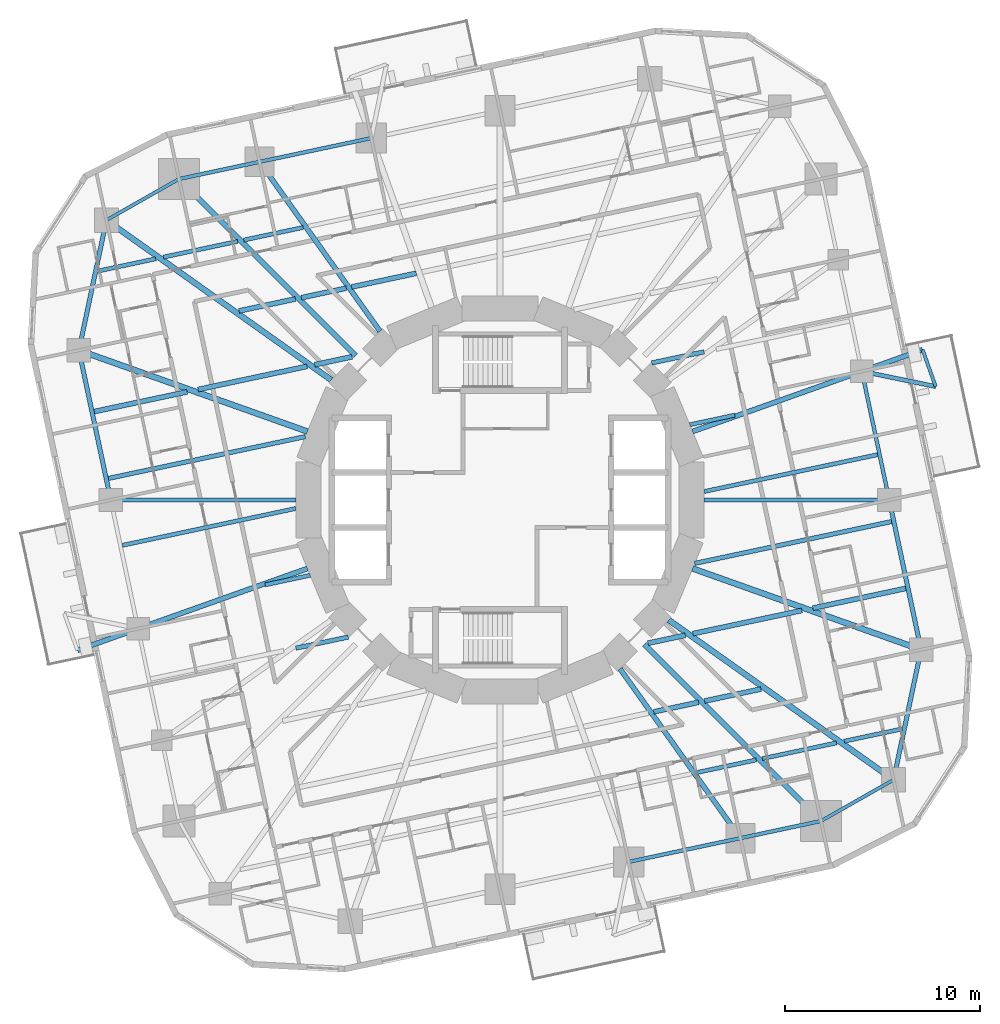
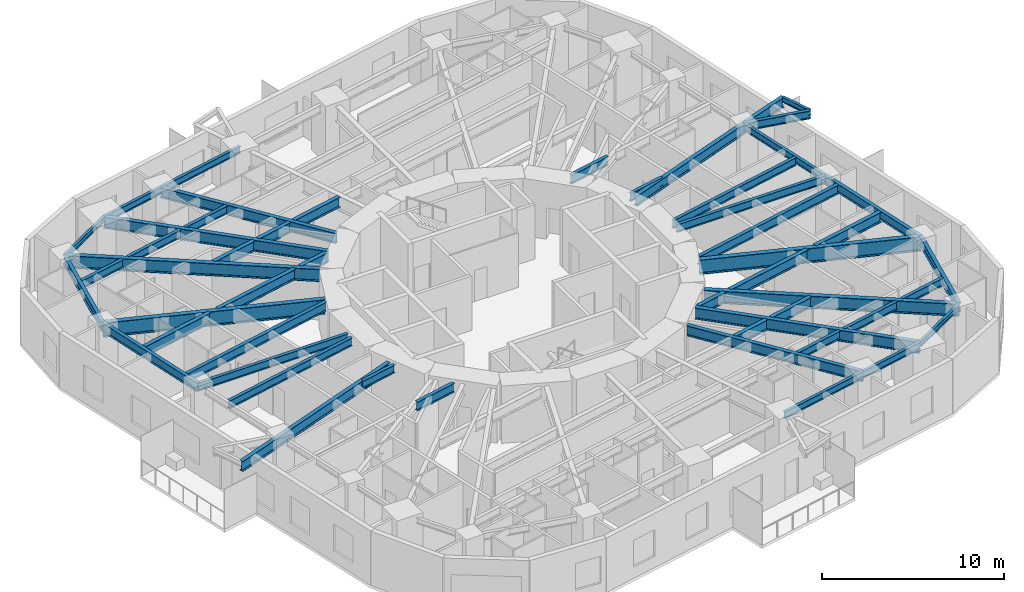
# One storey, part 2 of 14: 50 beams.
"""IFC4 building model written with IfcOpenShell, lengths in metres."""

from ifc_helpers import new_model, si_unit, direction, frame, origin, origin_2d, place, context, subcontext, project, spatial, i_section, extrude, material, material_profile, profile_set, type_object, element, save


model = new_model("IFC4")

# Units and contexts
model_context = context("Model", 3, precision=1e-05, world=origin(), true_north=direction((0.0, 1.0)))
body_context = subcontext(model_context, "Body", "Model", "MODEL_VIEW")
ifc_project = project(units=[si_unit("LENGTHUNIT", "METRE"), si_unit("AREAUNIT", "SQUARE_METRE"), si_unit("VOLUMEUNIT", "CUBIC_METRE"), si_unit("PLANEANGLEUNIT", "RADIAN"), si_unit("MASSUNIT", "GRAM", prefix="KILO")], contexts=[model_context])

# Site, building, storey
site_placement = place(None, origin())
site = spatial("IfcSite", under=ifc_project, at=site_placement, CompositionType="ELEMENT")
building_placement = place(site_placement, origin())
building = spatial("IfcBuilding", under=site, at=building_placement, Name="Nakasero Lantern House", CompositionType="ELEMENT")
storey_placement = place(building_placement, frame((0.0, 0.0, 116.550048828125)))
storey = spatial("IfcBuildingStorey", under=building, at=storey_placement, Name="L28", CompositionType="ELEMENT", Elevation=116.550048828125)

# Beams
ifc_material_1 = material(Name="Steel S355", Category="steel")
ifc_material_profile_1 = material_profile(ifc_material_1, i_section(OverallWidth=0.2138671875, OverallDepth=0.549072265625, WebThickness=0.0146484375, FlangeThickness=0.023681640625, FilletRadius=0.0126953125, at=origin_2d()), Name="UB 533x210x138")
ifc_profile_set_1 = profile_set([ifc_material_profile_1], Name="Steel S355")
beam_type_1 = type_object("IfcBeamType", Name="Balcony splay beam UB 533x210x138", PredefinedType="BEAM", material=ifc_profile_set_1)
beam_1_placement = place(storey_placement, frame((18.534912109375, 6.590087890625, 3.37548828125), z_axis=(0.979420272605, -0.201831438605, 0.0), x_axis=(0.201831438605, 0.979420272605, 0.0)))
element("IfcBeam", 1, at=beam_1_placement, inside=storey, type_object=beam_type_1, Name="Balcony splay beam L29 B3-C04A", PredefinedType="BEAM", context=body_context, shape_type="SweptSolid", body=[
    extrude(i_section(OverallWidth=0.2138671875, OverallDepth=0.549072265625, WebThickness=0.0146484375, FlangeThickness=0.023681640625, FilletRadius=0.0126953125, at=origin_2d()), origin(), (0.0, 0.0, 1.0), 3.858642578125),
])
ifc_material_2 = material(Name="Steel S355", Category="steel")
ifc_material_profile_2 = material_profile(ifc_material_2, i_section(OverallWidth=0.17138671875, OverallDepth=0.35498046875, WebThickness=0.00732421875, FlangeThickness=0.011474609375, FilletRadius=0.01025390625, at=origin_2d()), Name="UB 356x171x51")
ifc_profile_set_2 = profile_set([ifc_material_profile_2], Name="Steel S355")
beam_type_2 = type_object("IfcBeamType", Name="Balcony tie beam UB 356x171x51", PredefinedType="BEAM", material=ifc_profile_set_2)
beam_2_placement = place(storey_placement, frame((22.314208984375, 5.811279296875, 3.472412109375), z_axis=(-0.335060236487, 0.942196708721, 0.0), x_axis=(-0.942196708721, -0.335060236487, 0.0)))
element("IfcBeam", 2, at=beam_2_placement, inside=storey, type_object=beam_type_2, Name="Balcony tie beam L29 B3-C04", PredefinedType="BEAM", context=body_context, shape_type="SweptSolid", body=[
    extrude(i_section(OverallWidth=0.17138671875, OverallDepth=0.35498046875, WebThickness=0.00732421875, FlangeThickness=0.011474609375, FilletRadius=0.01025390625, at=origin_2d()), origin(), (0.0, 0.0, 1.0), 2.000244140625),
])
ifc_material_3 = material(Name="Steel S355", Category="steel")
ifc_material_profile_3 = material_profile(ifc_material_3, i_section(OverallWidth=0.2099609375, OverallDepth=0.53662109375, WebThickness=0.0107421875, FlangeThickness=0.017333984375, FilletRadius=0.0126953125, at=origin_2d()), Name="UB 533x210x101")
ifc_profile_set_3 = profile_set([ifc_material_profile_3], Name="Steel S355")
beam_type_3 = type_object("IfcBeamType", Name="Infill beam UB 533x210x101", PredefinedType="JOIST", material=ifc_profile_set_3)
beam_3_placement = place(storey_placement, frame((10.0830078125, -13.958740234375, 3.381591796875), z_axis=(0.97813788874, 0.207957376908, 0.0), x_axis=(-0.207957376908, 0.97813788874, 0.0)))
element("IfcBeam", 3, at=beam_3_placement, inside=storey, type_object=beam_type_3, Name="Infill beam L29 03.5", PredefinedType="JOIST", context=body_context, shape_type="SweptSolid", body=[
    extrude(i_section(OverallWidth=0.2099609375, OverallDepth=0.53662109375, WebThickness=0.0107421875, FlangeThickness=0.017333984375, FilletRadius=0.0126953125, at=origin_2d()), origin(), (0.0, 0.0, 1.0), 3.108642578125),
])
beam_4_placement = place(storey_placement, frame((13.434814453125, -13.24609375, 3.381591796875), z_axis=(0.978152946383, 0.207886539924, 0.0), x_axis=(-0.207886539924, 0.978152946383, 0.0)))
element("IfcBeam", 4, at=beam_4_placement, inside=storey, type_object=beam_type_3, Name="Infill beam L29 03.6", PredefinedType="JOIST", context=body_context, shape_type="SweptSolid", body=[
    extrude(i_section(OverallWidth=0.2099609375, OverallDepth=0.53662109375, WebThickness=0.0107421875, FlangeThickness=0.017333984375, FilletRadius=0.0126953125, at=origin_2d()), origin(), (0.0, 0.0, 1.0), 3.888427734375),
])
beam_5_placement = place(storey_placement, frame((17.626708984375, -12.355224609375, 3.381591796875), z_axis=(0.978152299812, 0.207889582165, 0.0), x_axis=(-0.207889582165, 0.978152299812, 0.0)))
element("IfcBeam", 5, at=beam_5_placement, inside=storey, type_object=beam_type_3, Name="Infill beam L29 03.7", PredefinedType="JOIST", context=body_context, shape_type="SweptSolid", body=[
    extrude(i_section(OverallWidth=0.2099609375, OverallDepth=0.53662109375, WebThickness=0.0107421875, FlangeThickness=0.017333984375, FilletRadius=0.0126953125, at=origin_2d()), origin(), (0.0, 0.0, 1.0), 3.031005859375),
])
beam_6_placement = place(storey_placement, frame((-12.030029296875, -4.34619140625, 3.381591796875), z_axis=(0.97814938161, 0.207903312278, 0.0), x_axis=(-0.207903312278, 0.97814938161, 0.0)))
element("IfcBeam", 6, at=beam_6_placement, inside=storey, type_object=beam_type_3, Name="Infill beam L29 07.1", PredefinedType="JOIST", context=body_context, shape_type="SweptSolid", body=[
    extrude(i_section(OverallWidth=0.2099609375, OverallDepth=0.53662109375, WebThickness=0.0107421875, FlangeThickness=0.017333984375, FilletRadius=0.0126953125, at=origin_2d()), origin(), (0.0, 0.0, 1.0), 2.359130859375),
])
for number, where, z_axis, x_axis, name in (
    (7, (10.457763671875, 0.433837890625, 3.381591796875), (0.978146760676, 0.207915642939, 0.0), (-0.207915642939, 0.978146760676, 0.0), "Infill beam L29 07.2"),
    (8, (-19.34423828125, -2.32275390625, 3.381591796875), (0.978146760676, 0.207915642939, 0.0), (-0.207915642939, 0.978146760676, 0.0), "Infill beam L29 08.1"),
):
    element("IfcBeam", number, at=place(storey_placement, frame(where, z_axis=z_axis, x_axis=x_axis)), inside=storey, type_object=beam_type_3, Name=name, PredefinedType="JOIST", context=body_context, shape_type="SweptSolid", body=[
        extrude(i_section(OverallWidth=0.2099609375, OverallDepth=0.53662109375, WebThickness=0.0107421875, FlangeThickness=0.017333984375, FilletRadius=0.0126953125, at=origin_2d()), origin(), (0.0, 0.0, 1.0), 9.0849609375),
    ])
beam_7_placement = place(storey_placement, frame((9.722412109375, 3.855712890625, 3.381591796875), z_axis=(0.97814938161, 0.207903312278, 0.0), x_axis=(-0.207903312278, 0.97814938161, 0.0)))
element("IfcBeam", 9, at=beam_7_placement, inside=storey, type_object=beam_type_3, Name="Infill beam L29 08.2", PredefinedType="JOIST", context=body_context, shape_type="SweptSolid", body=[
    extrude(i_section(OverallWidth=0.2099609375, OverallDepth=0.53662109375, WebThickness=0.0107421875, FlangeThickness=0.017333984375, FilletRadius=0.0126953125, at=origin_2d()), origin(), (0.0, 0.0, 1.0), 2.359130859375),
])
beam_8_placement = place(storey_placement, frame((-20.591552734375, 11.72509765625, 3.381591796875), z_axis=(0.978152299812, 0.207889582165, 0.0), x_axis=(-0.207889582165, 0.978152299812, 0.0)))
element("IfcBeam", 10, at=beam_8_placement, inside=storey, type_object=beam_type_3, Name="Infill beam L29 12.1", PredefinedType="JOIST", context=body_context, shape_type="SweptSolid", body=[
    extrude(i_section(OverallWidth=0.2099609375, OverallDepth=0.53662109375, WebThickness=0.0107421875, FlangeThickness=0.017333984375, FilletRadius=0.0126953125, at=origin_2d()), origin(), (0.0, 0.0, 1.0), 3.031005859375),
])
beam_9_placement = place(storey_placement, frame((-17.23828125, 12.437744140625, 3.381591796875), z_axis=(0.978152946383, 0.207886539924, 0.0), x_axis=(-0.207886539924, 0.978152946383, 0.0)))
element("IfcBeam", 11, at=beam_9_placement, inside=storey, type_object=beam_type_3, Name="Infill beam L29 12.2", PredefinedType="JOIST", context=body_context, shape_type="SweptSolid", body=[
    extrude(i_section(OverallWidth=0.2099609375, OverallDepth=0.53662109375, WebThickness=0.0107421875, FlangeThickness=0.017333984375, FilletRadius=0.0126953125, at=origin_2d()), origin(), (0.0, 0.0, 1.0), 3.888427734375),
])
beam_10_placement = place(storey_placement, frame((-13.123779296875, 13.312255859375, 3.381591796875), z_axis=(0.97813788874, 0.207957376908, 0.0), x_axis=(-0.207957376908, 0.97813788874, 0.0)))
element("IfcBeam", 12, at=beam_10_placement, inside=storey, type_object=beam_type_3, Name="Infill beam L29 12.3", PredefinedType="JOIST", context=body_context, shape_type="SweptSolid", body=[
    extrude(i_section(OverallWidth=0.2099609375, OverallDepth=0.53662109375, WebThickness=0.0107421875, FlangeThickness=0.017333984375, FilletRadius=0.0126953125, at=origin_2d()), origin(), (0.0, 0.0, 1.0), 3.108642578125),
])
ifc_material_4 = material(Name="Steel S355", Category="steel")
ifc_material_profile_4 = material_profile(ifc_material_4, i_section(OverallWidth=0.2275390625, OverallDepth=0.6025390625, WebThickness=0.010498046875, FlangeThickness=0.014892578125, FilletRadius=0.0126953125, at=origin_2d()), Name="UB 610x229x101")
ifc_profile_set_4 = profile_set([ifc_material_profile_4], Name="Steel S355")
beam_type_4 = type_object("IfcBeamType", Name="Infill beam UB 610x229x101", PredefinedType="JOIST", material=ifc_profile_set_4)
beam_11_placement = place(storey_placement, frame((-10.453369140625, -7.58935546875, 3.3486328125), z_axis=(0.978139842642, 0.207948186423, 0.0), x_axis=(-0.207948186423, 0.978139842642, 0.0)))
element("IfcBeam", 13, at=beam_11_placement, inside=storey, type_object=beam_type_4, Name="Infill beam L29 06.2", PredefinedType="JOIST", context=body_context, shape_type="SweptSolid", body=[
    extrude(i_section(OverallWidth=0.2275390625, OverallDepth=0.6025390625, WebThickness=0.010498046875, FlangeThickness=0.014892578125, FilletRadius=0.0126953125, at=origin_2d()), origin(), (0.0, 0.0, 1.0), 2.74267578125),
])
for number, where, z_axis, x_axis, name in (
    (14, (9.974365234375, -3.2470703125, 3.3486328125), (0.978151564707, 0.207893040916, 0.0), (-0.207893040916, 0.978151564707, 0.0), "Infill beam L29 06.3"),
    (15, (-20.05419921875, 1.104736328125, 3.3486328125), (0.978151564707, 0.207893040916, 0.0), (-0.207893040916, 0.978151564707, 0.0), "Infill beam L29 09.1"),
):
    element("IfcBeam", number, at=place(storey_placement, frame(where, z_axis=z_axis, x_axis=x_axis)), inside=storey, type_object=beam_type_4, Name=name, PredefinedType="JOIST", context=body_context, shape_type="SweptSolid", body=[
        extrude(i_section(OverallWidth=0.2275390625, OverallDepth=0.6025390625, WebThickness=0.010498046875, FlangeThickness=0.014892578125, FilletRadius=0.0126953125, at=origin_2d()), origin(), (0.0, 0.0, 1.0), 10.304931640625),
    ])
beam_12_placement = place(storey_placement, frame((7.770751953125, 7.01904296875, 3.3486328125), z_axis=(0.978139842642, 0.207948186423, 0.0), x_axis=(-0.207948186423, 0.978139842642, 0.0)))
element("IfcBeam", 16, at=beam_12_placement, inside=storey, type_object=beam_type_4, Name="Infill beam L29 09.2", PredefinedType="JOIST", context=body_context, shape_type="SweptSolid", body=[
    extrude(i_section(OverallWidth=0.2275390625, OverallDepth=0.6025390625, WebThickness=0.010498046875, FlangeThickness=0.014892578125, FilletRadius=0.0126953125, at=origin_2d()), origin(), (0.0, 0.0, 1.0), 2.74267578125),
])
ifc_material_5 = material(Name="Steel S355", Category="steel")
ifc_material_profile_5 = material_profile(ifc_material_5, i_section(OverallWidth=0.253662109375, OverallDepth=0.68359375, WebThickness=0.012451171875, FlangeThickness=0.01904296875, FilletRadius=0.01513671875, at=origin_2d()), Name="UB 686x254x140")
ifc_profile_set_5 = profile_set([ifc_material_profile_5], Name="Steel S355")
beam_type_5 = type_object("IfcBeamType", Name="Infill beam UB 686x254x140", PredefinedType="JOIST", material=ifc_profile_set_5)
beam_13_placement = place(storey_placement, frame((7.872802734375, -10.850341796875, 3.30810546875), z_axis=(0.97813694426, 0.207961819271, 0.0), x_axis=(-0.207961819271, 0.97813694426, 0.0)))
element("IfcBeam", 17, at=beam_13_placement, inside=storey, type_object=beam_type_5, Name="Infill beam L29 04.5", PredefinedType="JOIST", context=body_context, shape_type="SweptSolid", body=[
    extrude(i_section(OverallWidth=0.253662109375, OverallDepth=0.68359375, WebThickness=0.012451171875, FlangeThickness=0.01904296875, FilletRadius=0.01513671875, at=origin_2d()), origin(), (0.0, 0.0, 1.0), 2.3515625),
])
for number, where, z_axis, x_axis, name in (
    (18, (10.48388671875, -10.295166015625, 3.30810546875), (0.978146839882, 0.207915270313, 0.0), (-0.207915270313, 0.978146839882, 0.0), "Infill beam L29 04.6"),
    (19, (-13.364501953125, 9.682861328125, 3.30810546875), (0.978146839882, 0.207915270313, 0.0), (-0.207915270313, 0.978146839882, 0.0), "Infill beam L29 11.1"),
):
    element("IfcBeam", number, at=place(storey_placement, frame(where, z_axis=z_axis, x_axis=x_axis)), inside=storey, type_object=beam_type_5, Name=name, PredefinedType="JOIST", context=body_context, shape_type="SweptSolid", body=[
        extrude(i_section(OverallWidth=0.253662109375, OverallDepth=0.68359375, WebThickness=0.012451171875, FlangeThickness=0.01904296875, FilletRadius=0.01513671875, at=origin_2d()), origin(), (0.0, 0.0, 1.0), 2.945068359375),
    ])
beam_14_placement = place(storey_placement, frame((-10.1728515625, 10.361328125, 3.30810546875), z_axis=(0.97813694426, 0.207961819271, 0.0), x_axis=(-0.207961819271, 0.97813694426, 0.0)))
element("IfcBeam", 20, at=beam_14_placement, inside=storey, type_object=beam_type_5, Name="Infill beam L29 11.2", PredefinedType="JOIST", context=body_context, shape_type="SweptSolid", body=[
    extrude(i_section(OverallWidth=0.253662109375, OverallDepth=0.68359375, WebThickness=0.012451171875, FlangeThickness=0.01904296875, FilletRadius=0.01513671875, at=origin_2d()), origin(), (0.0, 0.0, 1.0), 2.3515625),
])
beam_15_placement = place(storey_placement, frame((-7.60009765625, 10.908203125, 3.30810546875), z_axis=(0.978143084163, 0.207932938478, 0.0), x_axis=(-0.207932938478, 0.978143084163, 0.0)))
element("IfcBeam", 21, at=beam_15_placement, inside=storey, type_object=beam_type_5, Name="Infill beam L29 11.3", PredefinedType="JOIST", context=body_context, shape_type="SweptSolid", body=[
    extrude(i_section(OverallWidth=0.253662109375, OverallDepth=0.68359375, WebThickness=0.012451171875, FlangeThickness=0.01904296875, FilletRadius=0.01513671875, at=origin_2d()), origin(), (0.0, 0.0, 1.0), 3.385009765625),
])
ifc_material_6 = material(Name="Steel S355", Category="steel")
ifc_material_profile_6 = material_profile(ifc_material_6, i_section(OverallWidth=0.255859375, OverallDepth=0.69287109375, WebThickness=0.014404296875, FlangeThickness=0.023681640625, FilletRadius=0.01513671875, at=origin_2d()), Name="UB 686x254x170")
ifc_profile_set_6 = profile_set([ifc_material_profile_6], Name="Steel S355")
beam_type_6 = type_object("IfcBeamType", Name="Infill beam UB 686x254x170", PredefinedType="JOIST", material=ifc_profile_set_6)
beam_16_placement = place(storey_placement, frame((7.5771484375, -7.3349609375, 3.303466796875), z_axis=(0.978142670498, 0.207934884401, 0.0), x_axis=(-0.207934884401, 0.978142670498, 0.0)))
element("IfcBeam", 22, at=beam_16_placement, inside=storey, type_object=beam_type_6, Name="Infill beam L29 05.3", PredefinedType="JOIST", context=body_context, shape_type="SweptSolid", body=[
    extrude(i_section(OverallWidth=0.255859375, OverallDepth=0.69287109375, WebThickness=0.014404296875, FlangeThickness=0.023681640625, FilletRadius=0.01513671875, at=origin_2d()), origin(), (0.0, 0.0, 1.0), 1.9560546875),
])
beam_17_placement = place(storey_placement, frame((9.87890625, -6.845703125, 3.303466796875), z_axis=(0.978148855575, 0.207905787166, 0.0), x_axis=(-0.207905787166, 0.978148855575, 0.0)))
element("IfcBeam", 23, at=beam_17_placement, inside=storey, type_object=beam_type_6, Name="Infill beam L29 05.4", PredefinedType="JOIST", context=body_context, shape_type="SweptSolid", body=[
    extrude(i_section(OverallWidth=0.255859375, OverallDepth=0.69287109375, WebThickness=0.014404296875, FlangeThickness=0.023681640625, FilletRadius=0.01513671875, at=origin_2d()), origin(), (0.0, 0.0, 1.0), 5.711669921875),
])
for number, where, z_axis, x_axis, name in (
    (24, (16.026123046875, -5.5390625, 3.303466796875), (0.978141363358, 0.207941033198, 0.0), (-0.207941033198, 0.978141363358, 0.0), "Infill beam L29 05.5"),
    (25, (-20.78173828125, 4.528076171875, 3.303466796875), (0.978141363358, 0.207941033198, 0.0), (-0.207941033198, 0.978141363358, 0.0), "Infill beam L29 10.1"),
):
    element("IfcBeam", number, at=place(storey_placement, frame(where, z_axis=z_axis, x_axis=x_axis)), inside=storey, type_object=beam_type_6, Name=name, PredefinedType="JOIST", context=body_context, shape_type="SweptSolid", body=[
        extrude(i_section(OverallWidth=0.255859375, OverallDepth=0.69287109375, WebThickness=0.014404296875, FlangeThickness=0.023681640625, FilletRadius=0.01513671875, at=origin_2d()), origin(), (0.0, 0.0, 1.0), 4.86181640625),
    ])
beam_18_placement = place(storey_placement, frame((-15.4658203125, 5.658203125, 3.303466796875), z_axis=(0.978148855575, 0.207905787166, 0.0), x_axis=(-0.207905787166, 0.978148855575, 0.0)))
element("IfcBeam", 26, at=beam_18_placement, inside=storey, type_object=beam_type_6, Name="Infill beam L29 10.2", PredefinedType="JOIST", context=body_context, shape_type="SweptSolid", body=[
    extrude(i_section(OverallWidth=0.255859375, OverallDepth=0.69287109375, WebThickness=0.014404296875, FlangeThickness=0.023681640625, FilletRadius=0.01513671875, at=origin_2d()), origin(), (0.0, 0.0, 1.0), 5.711669921875),
])
beam_19_placement = place(storey_placement, frame((-9.490478515625, 6.92822265625, 3.303466796875), z_axis=(0.978142670498, 0.207934884401, 0.0), x_axis=(-0.207934884401, 0.978142670498, 0.0)))
element("IfcBeam", 27, at=beam_19_placement, inside=storey, type_object=beam_type_6, Name="Infill beam L29 10.3", PredefinedType="JOIST", context=body_context, shape_type="SweptSolid", body=[
    extrude(i_section(OverallWidth=0.255859375, OverallDepth=0.69287109375, WebThickness=0.014404296875, FlangeThickness=0.023681640625, FilletRadius=0.01513671875, at=origin_2d()), origin(), (0.0, 0.0, 1.0), 1.9560546875),
])
ifc_material_7 = material(Name="Steel S355", Category="steel")
ifc_material_profile_7 = material_profile(ifc_material_7, i_section(OverallWidth=0.300048828125, OverallDepth=0.97998046875, WebThickness=0.0166015625, FlangeThickness=0.02587890625, FilletRadius=0.030029296875, at=origin_2d()), Name="UB 1016x305x249")
ifc_profile_set_7 = profile_set([ifc_material_profile_7], Name="Steel S355")
beam_type_7 = type_object("IfcBeamType", Name="Primary beam UB 1016x305x249, span 12 to 15 m", PredefinedType="BEAM", material=ifc_profile_set_7)
for number, where, z_axis, x_axis, name in (
    (28, (21.5654296875, -7.667724609375, 3.159912109375), (-0.942213862739, 0.335011995103, 0.0), (-0.335011995103, -0.942213862739, 0.0), "Primary beam L29 B3-C02"),
    (29, (-21.5654296875, 7.667724609375, 3.159912109375), (0.942213862739, -0.335011995103, 0.0), (0.335011995103, 0.942213862739, 0.0), "Primary beam L29 B3-C14"),
):
    element("IfcBeam", number, at=place(storey_placement, frame(where, z_axis=z_axis, x_axis=x_axis)), inside=storey, type_object=beam_type_7, Name=name, PredefinedType="BEAM", context=body_context, shape_type="SweptSolid", body=[
        extrude(i_section(OverallWidth=0.300048828125, OverallDepth=0.97998046875, WebThickness=0.0166015625, FlangeThickness=0.02587890625, FilletRadius=0.030029296875, at=origin_2d()), origin(), (0.0, 0.0, 1.0), 12.41650390625),
    ])
ifc_material_8 = material(Name="Steel S355", Category="steel")
ifc_material_profile_8 = material_profile(ifc_material_8, i_section(OverallWidth=0.208740234375, OverallDepth=0.5283203125, WebThickness=0.009521484375, FlangeThickness=0.01318359375, FilletRadius=0.0126953125, at=origin_2d()), Name="UB 533x210x82")
ifc_profile_set_8 = profile_set([ifc_material_profile_8], Name="Steel S355")
beam_type_8 = type_object("IfcBeamType", Name="Primary beam UB 533x210x82, span 9 to 12 m", PredefinedType="BEAM", material=ifc_profile_set_8)
for number, where, z_axis, x_axis, name in (
    (30, (19.935546875, 0.0, 3.3857421875), (-1.0, 0.0, 0.0), (0.0, -1.0, 0.0), "Primary beam L29 B3-C03"),
    (31, (-19.935546875, 0.0, 3.3857421875), (1.0, 0.0, 0.0), (0.0, 1.0, 0.0), "Primary beam L29 B3-C15"),
):
    element("IfcBeam", number, at=place(storey_placement, frame(where, z_axis=z_axis, x_axis=x_axis)), inside=storey, type_object=beam_type_8, Name=name, PredefinedType="BEAM", context=body_context, shape_type="SweptSolid", body=[
        extrude(i_section(OverallWidth=0.208740234375, OverallDepth=0.5283203125, WebThickness=0.009521484375, FlangeThickness=0.01318359375, FilletRadius=0.0126953125, at=origin_2d()), origin(), (0.0, 0.0, 1.0), 9.477783203125),
    ])
ifc_material_9 = material(Name="Steel S355", Category="steel")
ifc_material_profile_9 = material_profile(ifc_material_9, i_section(OverallWidth=0.255859375, OverallDepth=0.69287109375, WebThickness=0.014404296875, FlangeThickness=0.023681640625, FilletRadius=0.01513671875, at=origin_2d()), Name="UB 686x254x170")
ifc_profile_set_9 = profile_set([ifc_material_profile_9], Name="Steel S355")
beam_type_9 = type_object("IfcBeamType", Name="Primary beam UB 686x254x170, span 9 to 12 m", PredefinedType="BEAM", material=ifc_profile_set_9)
beam_20_placement = place(storey_placement, frame((21.64404296875, 7.69580078125, 3.303466796875), z_axis=(-0.942210717159, -0.335020841845, 0.0), x_axis=(0.335020841845, -0.942210717159, 0.0)))
element("IfcBeam", 32, at=beam_20_placement, inside=storey, type_object=beam_type_9, Name="Primary beam L29 B3-C04", PredefinedType="BEAM", context=body_context, shape_type="SweptSolid", body=[
    extrude(i_section(OverallWidth=0.255859375, OverallDepth=0.69287109375, WebThickness=0.014404296875, FlangeThickness=0.023681640625, FilletRadius=0.01513671875, at=origin_2d()), origin(), (0.0, 0.0, 1.0), 12.5),
])
beam_21_placement = place(storey_placement, frame((-12.31494140625, 17.318115234375, 3.303466796875), z_axis=(0.579520739774, -0.814957491022, 0.0), x_axis=(0.814957491022, 0.579520739774, 0.0)))
element("IfcBeam", 33, at=beam_21_placement, inside=storey, type_object=beam_type_9, Name="Primary beam L29 B3-C11", PredefinedType="BEAM", context=body_context, shape_type="SweptSolid", body=[
    extrude(i_section(OverallWidth=0.255859375, OverallDepth=0.69287109375, WebThickness=0.014404296875, FlangeThickness=0.023681640625, FilletRadius=0.01513671875, at=origin_2d()), origin(), (0.0, 0.0, 1.0), 10.64453125),
])
beam_22_placement = place(storey_placement, frame((-21.64404296875, -7.69580078125, 3.303466796875), z_axis=(0.942210717159, 0.335020841845, 0.0), x_axis=(-0.335020841845, 0.942210717159, 0.0)))
element("IfcBeam", 34, at=beam_22_placement, inside=storey, type_object=beam_type_9, Name="Primary beam L29 B3-C16", PredefinedType="BEAM", context=body_context, shape_type="SweptSolid", body=[
    extrude(i_section(OverallWidth=0.255859375, OverallDepth=0.69287109375, WebThickness=0.014404296875, FlangeThickness=0.023681640625, FilletRadius=0.01513671875, at=origin_2d()), origin(), (0.0, 0.0, 1.0), 12.5),
])
beam_23_placement = place(storey_placement, frame((12.31494140625, -17.318115234375, 3.303466796875), z_axis=(-0.579520739774, 0.814957491022, 0.0), x_axis=(-0.814957491022, -0.579520739774, 0.0)))
element("IfcBeam", 35, at=beam_23_placement, inside=storey, type_object=beam_type_9, Name="Primary beam L29 B3-C23", PredefinedType="BEAM", context=body_context, shape_type="SweptSolid", body=[
    extrude(i_section(OverallWidth=0.255859375, OverallDepth=0.69287109375, WebThickness=0.014404296875, FlangeThickness=0.023681640625, FilletRadius=0.01513671875, at=origin_2d()), origin(), (0.0, 0.0, 1.0), 10.64453125),
])
ifc_material_10 = material(Name="Steel S355", Category="steel")
ifc_material_profile_10 = material_profile(ifc_material_10, i_section(OverallWidth=0.2666015625, OverallDepth=0.76220703125, WebThickness=0.014404296875, FlangeThickness=0.021484375, FilletRadius=0.0166015625, at=origin_2d()), Name="UB 762x267x173")
ifc_profile_set_10 = profile_set([ifc_material_profile_10], Name="Steel S355")
beam_type_10 = type_object("IfcBeamType", Name="Primary beam UB 762x267x173, span 12 to 15 m", PredefinedType="BEAM", material=ifc_profile_set_10)
for number, where, z_axis, x_axis, name in (
    (36, (-16.44091796875, 16.44091796875, 3.268798828125), (0.707106781187, -0.707106781187, 0.0), (0.707106781187, 0.707106781187, 0.0), "Primary beam L29 B3-C12"),
    (37, (16.44091796875, -16.44091796875, 3.268798828125), (-0.707106781187, 0.707106781187, 0.0), (-0.707106781187, -0.707106781187, 0.0), "Primary beam L29 B3-C24"),
):
    element("IfcBeam", number, at=place(storey_placement, frame(where, z_axis=z_axis, x_axis=x_axis)), inside=storey, type_object=beam_type_10, Name=name, PredefinedType="BEAM", context=body_context, shape_type="SweptSolid", body=[
        extrude(i_section(OverallWidth=0.2666015625, OverallDepth=0.76220703125, WebThickness=0.014404296875, FlangeThickness=0.021484375, FilletRadius=0.0166015625, at=origin_2d()), origin(), (0.0, 0.0, 1.0), 12.793212890625),
    ])
ifc_material_11 = material(Name="Steel S355", Category="steel")
ifc_material_profile_11 = material_profile(ifc_material_11, i_section(OverallWidth=0.29248046875, OverallDepth=0.8408203125, WebThickness=0.0146484375, FlangeThickness=0.02685546875, FilletRadius=0.017822265625, at=origin_2d()), Name="UB 838x292x194")
ifc_profile_set_11 = profile_set([ifc_material_profile_11], Name="Steel S355")
beam_type_11 = type_object("IfcBeamType", Name="Primary beam UB 838x292x194, span 12 to 15 m", PredefinedType="BEAM", material=ifc_profile_set_11)
for number, where, z_axis, x_axis, name in (
    (38, (20.15625, -14.33349609375, 3.2294921875), (-0.814946074386, 0.57953679421, 0.0), (-0.57953679421, -0.814946074386, 0.0), "Primary beam L29 B3-C01"),
    (39, (-20.15625, 14.33349609375, 3.2294921875), (0.814946074386, -0.57953679421, 0.0), (0.57953679421, 0.814946074386, 0.0), "Primary beam L29 B3-C13"),
):
    element("IfcBeam", number, at=place(storey_placement, frame(where, z_axis=z_axis, x_axis=x_axis)), inside=storey, type_object=beam_type_11, Name=name, PredefinedType="BEAM", context=body_context, shape_type="SweptSolid", body=[
        extrude(i_section(OverallWidth=0.29248046875, OverallDepth=0.8408203125, WebThickness=0.0146484375, FlangeThickness=0.02685546875, FilletRadius=0.017822265625, at=origin_2d()), origin(), (0.0, 0.0, 1.0), 14.127197265625),
    ])
ifc_material_12 = material(Name="Steel S355", Category="steel")
ifc_material_profile_12 = material_profile(ifc_material_12, i_section(OverallWidth=0.17138671875, OverallDepth=0.35498046875, WebThickness=0.00732421875, FlangeThickness=0.011474609375, FilletRadius=0.01025390625, at=origin_2d()), Name="UB 356x171x51")
ifc_profile_set_12 = profile_set([ifc_material_profile_12], Name="Steel S355")
beam_type_12 = type_object("IfcBeamType", Name="Ring beam UB 356x171x51", PredefinedType="BEAM", material=ifc_profile_set_12)
for number, where, z_axis, x_axis, name in (
    (40, (-16.44091796875, 16.44091796875, 3.472412109375), (-0.869814536213, -0.493378832737, 0.0), (0.493378832737, -0.869814536213, 0.0), "Ring beam L29 B3-C12"),
    (41, (16.44091796875, -16.44091796875, 3.472412109375), (0.869814536213, 0.493378832737, 0.0), (-0.493378832737, 0.869814536213, 0.0), "Ring beam L29 B3-C24"),
):
    element("IfcBeam", number, at=place(storey_placement, frame(where, z_axis=z_axis, x_axis=x_axis)), inside=storey, type_object=beam_type_12, Name=name, PredefinedType="BEAM", context=body_context, shape_type="SweptSolid", body=[
        extrude(i_section(OverallWidth=0.17138671875, OverallDepth=0.35498046875, WebThickness=0.00732421875, FlangeThickness=0.011474609375, FilletRadius=0.01025390625, at=origin_2d()), origin(), (0.0, 0.0, 1.0), 4.271484375),
    ])
ifc_material_13 = material(Name="Steel S355", Category="steel")
ifc_material_profile_13 = material_profile(ifc_material_13, i_section(OverallWidth=0.19140625, OverallDepth=0.4599609375, WebThickness=0.010009765625, FlangeThickness=0.01611328125, FilletRadius=0.01025390625, at=origin_2d()), Name="UB 457x191x82")
ifc_profile_set_13 = profile_set([ifc_material_profile_13], Name="Steel S355")
beam_type_13 = type_object("IfcBeamType", Name="Ring beam UB 457x191x82", PredefinedType="BEAM", material=ifc_profile_set_13)
beam_24_placement = place(storey_placement, frame((19.935546875, 0.0, 3.419921875), z_axis=(-0.20789299389, 0.978151574702, 0.0), x_axis=(-0.978151574702, -0.20789299389, 0.0)))
element("IfcBeam", 42, at=beam_24_placement, inside=storey, type_object=beam_type_13, Name="Ring beam L29 B3-C03", PredefinedType="BEAM", context=body_context, shape_type="SweptSolid", body=[
    extrude(i_section(OverallWidth=0.19140625, OverallDepth=0.4599609375, WebThickness=0.010009765625, FlangeThickness=0.01611328125, FilletRadius=0.01025390625, at=origin_2d()), origin(), (0.0, 0.0, 1.0), 6.7373046875),
])
beam_25_placement = place(storey_placement, frame((-6.590087890625, 18.534912109375, 3.419921875), z_axis=(-0.978149626621, -0.207902159541, 0.0), x_axis=(0.207902159541, -0.978149626621, 0.0)))
element("IfcBeam", 43, at=beam_25_placement, inside=storey, type_object=beam_type_13, Name="Ring beam L29 B3-C10", PredefinedType="BEAM", context=body_context, shape_type="SweptSolid", body=[
    extrude(i_section(OverallWidth=0.19140625, OverallDepth=0.4599609375, WebThickness=0.010009765625, FlangeThickness=0.01611328125, FilletRadius=0.01025390625, at=origin_2d()), origin(), (0.0, 0.0, 1.0), 5.852783203125),
])
beam_26_placement = place(storey_placement, frame((-12.31494140625, 17.318115234375, 3.419921875), z_axis=(-0.978138252658, -0.207955665195, 0.0), x_axis=(0.207955665195, -0.978138252658, 0.0)))
element("IfcBeam", 44, at=beam_26_placement, inside=storey, type_object=beam_type_13, Name="Ring beam L29 B3-C11", PredefinedType="BEAM", context=body_context, shape_type="SweptSolid", body=[
    extrude(i_section(OverallWidth=0.19140625, OverallDepth=0.4599609375, WebThickness=0.010009765625, FlangeThickness=0.01611328125, FilletRadius=0.01025390625, at=origin_2d()), origin(), (0.0, 0.0, 1.0), 4.21826171875),
])
beam_27_placement = place(storey_placement, frame((6.590087890625, -18.534912109375, 3.419921875), z_axis=(0.978149626621, 0.207902159541, 0.0), x_axis=(-0.207902159541, 0.978149626621, 0.0)))
element("IfcBeam", 45, at=beam_27_placement, inside=storey, type_object=beam_type_13, Name="Ring beam L29 B3-C22", PredefinedType="BEAM", context=body_context, shape_type="SweptSolid", body=[
    extrude(i_section(OverallWidth=0.19140625, OverallDepth=0.4599609375, WebThickness=0.010009765625, FlangeThickness=0.01611328125, FilletRadius=0.01025390625, at=origin_2d()), origin(), (0.0, 0.0, 1.0), 5.852783203125),
])
beam_28_placement = place(storey_placement, frame((12.31494140625, -17.318115234375, 3.419921875), z_axis=(0.978138252658, 0.207955665195, 0.0), x_axis=(-0.207955665195, 0.978138252658, 0.0)))
element("IfcBeam", 46, at=beam_28_placement, inside=storey, type_object=beam_type_13, Name="Ring beam L29 B3-C23", PredefinedType="BEAM", context=body_context, shape_type="SweptSolid", body=[
    extrude(i_section(OverallWidth=0.19140625, OverallDepth=0.4599609375, WebThickness=0.010009765625, FlangeThickness=0.01611328125, FilletRadius=0.01025390625, at=origin_2d()), origin(), (0.0, 0.0, 1.0), 4.21826171875),
])
ifc_material_14 = material(Name="Steel S355", Category="steel")
ifc_material_profile_14 = material_profile(ifc_material_14, i_section(OverallWidth=0.2275390625, OverallDepth=0.6025390625, WebThickness=0.010498046875, FlangeThickness=0.014892578125, FilletRadius=0.0126953125, at=origin_2d()), Name="UB 610x229x101")
ifc_profile_set_14 = profile_set([ifc_material_profile_14], Name="Steel S355")
beam_type_14 = type_object("IfcBeamType", Name="Ring beam UB 610x229x101", PredefinedType="BEAM", material=ifc_profile_set_14)
beam_29_placement = place(storey_placement, frame((20.15625, -14.33349609375, 3.3486328125), z_axis=(0.206833925052, 0.978376066473, 0.0), x_axis=(-0.978376066473, 0.206833925052, 0.0)))
element("IfcBeam", 47, at=beam_29_placement, inside=storey, type_object=beam_type_14, Name="Ring beam L29 B3-C01", PredefinedType="BEAM", context=body_context, shape_type="SweptSolid", body=[
    extrude(i_section(OverallWidth=0.2275390625, OverallDepth=0.6025390625, WebThickness=0.010498046875, FlangeThickness=0.014892578125, FilletRadius=0.0126953125, at=origin_2d()), origin(), (0.0, 0.0, 1.0), 6.81298828125),
])
beam_30_placement = place(storey_placement, frame((21.5654296875, -7.667724609375, 3.3486328125), z_axis=(-0.207918725139, 0.978146105516, 0.0), x_axis=(-0.978146105516, -0.207918725139, 0.0)))
element("IfcBeam", 48, at=beam_30_placement, inside=storey, type_object=beam_type_14, Name="Ring beam L29 B3-C02", PredefinedType="BEAM", context=body_context, shape_type="SweptSolid", body=[
    extrude(i_section(OverallWidth=0.2275390625, OverallDepth=0.6025390625, WebThickness=0.010498046875, FlangeThickness=0.014892578125, FilletRadius=0.0126953125, at=origin_2d()), origin(), (0.0, 0.0, 1.0), 7.839111328125),
])
beam_31_placement = place(storey_placement, frame((-20.15625, 14.33349609375, 3.3486328125), z_axis=(-0.206833925052, -0.978376066473, 0.0), x_axis=(0.978376066473, -0.206833925052, 0.0)))
element("IfcBeam", 49, at=beam_31_placement, inside=storey, type_object=beam_type_14, Name="Ring beam L29 B3-C13", PredefinedType="BEAM", context=body_context, shape_type="SweptSolid", body=[
    extrude(i_section(OverallWidth=0.2275390625, OverallDepth=0.6025390625, WebThickness=0.010498046875, FlangeThickness=0.014892578125, FilletRadius=0.0126953125, at=origin_2d()), origin(), (0.0, 0.0, 1.0), 6.81298828125),
])
beam_32_placement = place(storey_placement, frame((-21.5654296875, 7.667724609375, 3.3486328125), z_axis=(0.207918725139, -0.978146105516, 0.0), x_axis=(0.978146105516, 0.207918725139, 0.0)))
element("IfcBeam", 50, at=beam_32_placement, inside=storey, type_object=beam_type_14, Name="Ring beam L29 B3-C14", PredefinedType="BEAM", context=body_context, shape_type="SweptSolid", body=[
    extrude(i_section(OverallWidth=0.2275390625, OverallDepth=0.6025390625, WebThickness=0.010498046875, FlangeThickness=0.014892578125, FilletRadius=0.0126953125, at=origin_2d()), origin(), (0.0, 0.0, 1.0), 7.839111328125),
])

save(model, "model.ifc")
